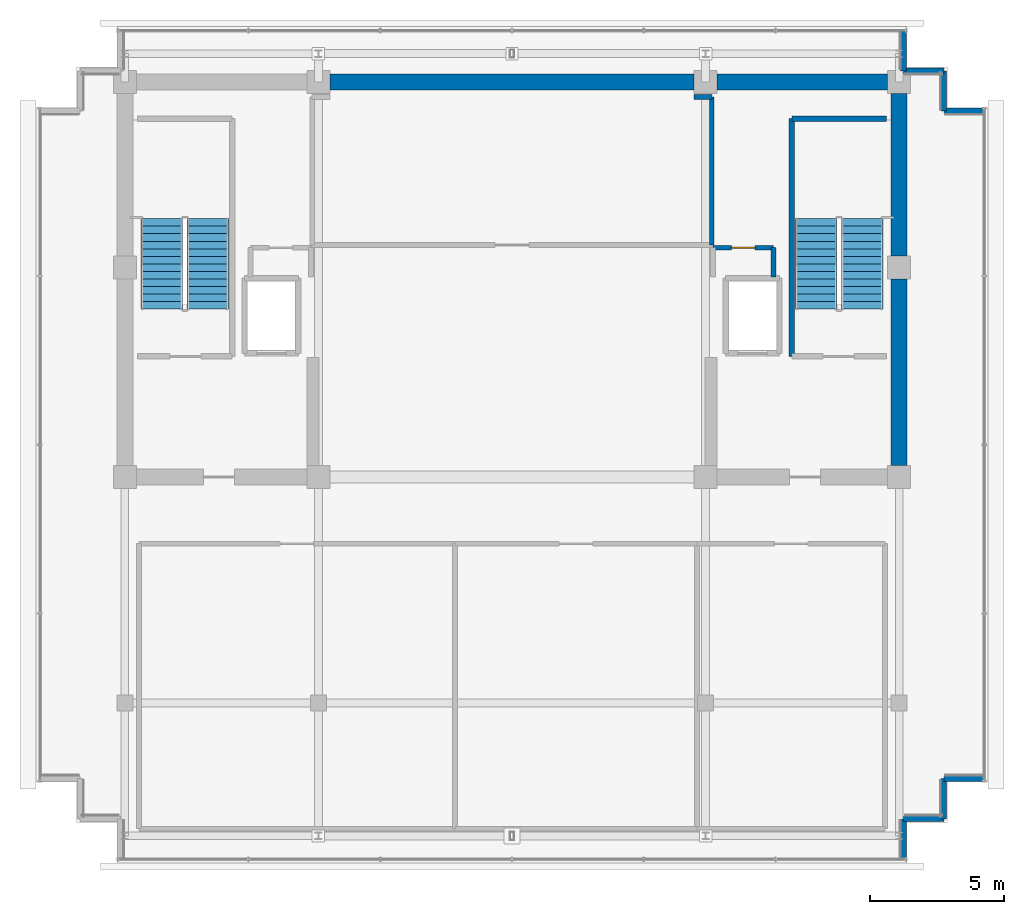
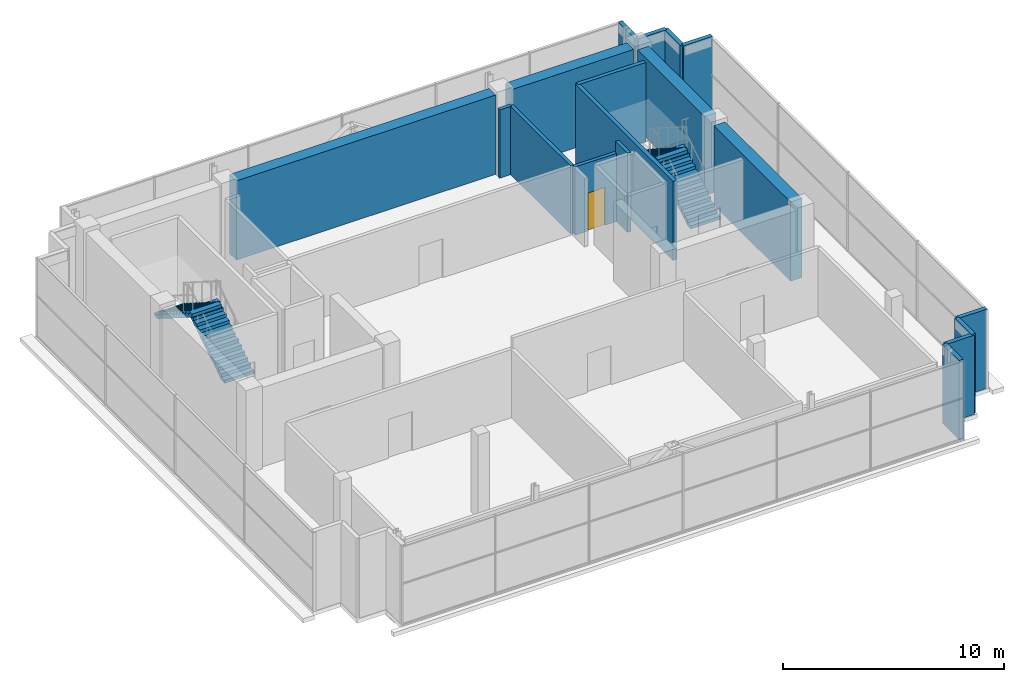
# One storey, part 25 of 27: 18 walls, 4 stair flights, 1 door, 1 opening, 2 elements without a shape of their own.
"""IFC4 building model written with IfcOpenShell, lengths in metres."""

import ifcopenshell
import ifcopenshell.guid

model = None  # the IFC model being written
_history = None  # IfcOwnerHistory: only IFC2X3 demands one
_inside = {}  # id of a spatial element -> (the spatial element, [elements in it])
_under = {}  # id of a project, library or spatial element -> (it, [spatial elements below it])
_declared = {}  # id of a project -> (the project, [libraries it declares])
_typed = {}  # id of a type object -> (the type object, [elements of that type])
_made_of = {}  # id of a material, layer set ... -> (it, [elements and type objects made of it])


def new_model(schema):
    """Start an empty IFC model of exactly this schema.

    Asked for "IFC4X3", IfcOpenShell would pick the latest addendum, in which some entities
    have other attributes; the version numbers below select the first issue.
    IFC2X3 requires an IfcOwnerHistory on every rooted entity: one is made here for all.
    """
    global model, _history
    if schema == "IFC4X3":
        model = ifcopenshell.file(schema_version=(4, 3, 0, 0))
    else:
        model = ifcopenshell.file(schema=schema)
    _inside.clear()
    _under.clear()
    _declared.clear()
    _typed.clear()
    _made_of.clear()
    _history = None
    if model.schema == "IFC2X3":
        org = make("IfcOrganization", Name="unknown")
        user = make(
            "IfcPersonAndOrganization",
            ThePerson=make("IfcPerson", FamilyName="unknown"),
            TheOrganization=org,
        )
        app = make(
            "IfcApplication",
            ApplicationDeveloper=org,
            Version="unknown",
            ApplicationFullName="unknown",
            ApplicationIdentifier="unknown",
        )
        _history = make(
            "IfcOwnerHistory",
            OwningUser=user,
            OwningApplication=app,
            ChangeAction="ADDED",
            CreationDate=0,
        )
    return model


def make(cls, **values):
    """One entity of the class cls with the attributes given. An attribute that is None is left unset."""
    return model.create_entity(
        cls, **{name: value for name, value in values.items() if value is not None}
    )


def rooted(cls, **values):
    """An entity with a GlobalId (a new one), such as an element, a storey or a relation."""
    return make(cls, GlobalId=ifcopenshell.guid.new(), OwnerHistory=_history, **values)


def si_unit(unit_type, name, prefix=None):
    """IfcSIUnit, for example si_unit("LENGTHUNIT", "METRE", prefix="MILLI")."""
    return make("IfcSIUnit", UnitType=unit_type, Prefix=prefix, Name=name)


def assignment(units):
    """IfcUnitAssignment: the units of a project."""
    return None if units is None else make("IfcUnitAssignment", Units=units)


def point(xyz):
    """IfcCartesianPoint."""
    return None if xyz is None else make("IfcCartesianPoint", Coordinates=xyz)


def direction(xyz):
    """IfcDirection."""
    return None if xyz is None else make("IfcDirection", DirectionRatios=xyz)


def frame(location, z_axis=None, x_axis=None):
    """IfcAxis2Placement3D, a coordinate frame: its origin and axes. An axis left out is left unset."""
    return make(
        "IfcAxis2Placement3D",
        Location=point(location),
        Axis=direction(z_axis),
        RefDirection=direction(x_axis),
    )


def frame_2d(location, x_axis=None):
    """IfcAxis2Placement2D, a coordinate frame in the plane: its origin and x axis."""
    return make(
        "IfcAxis2Placement2D", Location=point(location), RefDirection=direction(x_axis)
    )


def origin():
    """The frame at (0, 0, 0) with its axes left unset."""
    return frame((0.0, 0.0, 0.0))


def place(relative_to, where):
    """IfcLocalPlacement: puts the frame where relative to a parent placement (None: the world)."""
    return make(
        "IfcLocalPlacement", PlacementRelTo=relative_to, RelativePlacement=where
    )


def context(
    kind, dimensions, precision=None, world=None, true_north=None, identifier=None
):
    """IfcGeometricRepresentationContext, for example the 3D "Model" context."""
    return make(
        "IfcGeometricRepresentationContext",
        ContextIdentifier=identifier,
        ContextType=kind,
        CoordinateSpaceDimension=dimensions,
        Precision=precision,
        WorldCoordinateSystem=world,
        TrueNorth=true_north,
    )


def subcontext(parent, identifier, kind, view, scale=None):
    """IfcGeometricRepresentationSubContext, for example "Body" below "Model"."""
    return make(
        "IfcGeometricRepresentationSubContext",
        ContextIdentifier=identifier,
        ContextType=kind,
        ParentContext=parent,
        TargetScale=scale,
        TargetView=view,
    )


def project(units=None, contexts=None):
    """IfcProject with its units and contexts."""
    return rooted(
        "IfcProject",
        Name="project",
        RepresentationContexts=contexts,
        UnitsInContext=assignment(units),
    )


def spatial(cls, under=None, at=None, **own):
    """A site, building, storey or space (cls), placed at a placement, below another one or the project."""
    s = rooted(cls, ObjectPlacement=at, **own)
    if under is not None:
        _under.setdefault(under.id(), (under, []))[1].append(s)
    return s


def polyline(points):
    """IfcPolyline through the points."""
    return make("IfcPolyline", Points=[point(p) for p in points])


def profile(cls, at=None, kind="AREA", **sizes):
    """A parametric profile (cls). Its sizes go by their IFC names, for example OverallWidth=200.0."""
    return make(cls, ProfileType=kind, Position=at, **sizes)


def rectangle(**sizes):
    """IfcRectangleProfileDef."""
    return profile("IfcRectangleProfileDef", **sizes)


def outline(outer, holes=None, kind="AREA"):
    """IfcArbitraryClosedProfileDef: a profile drawn as a closed curve; with holes, ...WithVoids."""
    if holes is None:
        return make("IfcArbitraryClosedProfileDef", ProfileType=kind, OuterCurve=outer)
    return make(
        "IfcArbitraryProfileDefWithVoids",
        ProfileType=kind,
        OuterCurve=outer,
        InnerCurves=holes,
    )


def extrude(swept, where, along, depth):
    """IfcExtrudedAreaSolid: the profile swept, set in the frame where, extruded along a direction by depth."""
    return make(
        "IfcExtrudedAreaSolid",
        SweptArea=swept,
        Position=where,
        ExtrudedDirection=direction(along),
        Depth=depth,
    )


def shape(context_of_items, identifier, shape_type, items):
    """IfcShapeRepresentation: the items that make up one representation, for example the "Body"."""
    return make(
        "IfcShapeRepresentation",
        ContextOfItems=context_of_items,
        RepresentationIdentifier=identifier,
        RepresentationType=shape_type,
        Items=items,
    )


def source(mapping_origin, context_of_items, identifier, shape_type, items):
    """IfcRepresentationMap: a shape defined once, which mapped items show again and again."""
    return make(
        "IfcRepresentationMap",
        MappingOrigin=mapping_origin,
        MappedRepresentation=shape(context_of_items, identifier, shape_type, items),
    )


def transform(
    local_origin,
    x_axis=None,
    y_axis=None,
    z_axis=None,
    scale=None,
    scale2=None,
    scale3=None,
    uniform=True,
):
    """IfcCartesianTransformationOperator3D, or its non-uniform kind. x_axis, y_axis, z_axis: its Axis1, 2, 3."""
    if uniform:
        return make(
            "IfcCartesianTransformationOperator3D",
            Axis1=direction(x_axis),
            Axis2=direction(y_axis),
            LocalOrigin=point(local_origin),
            Scale=scale,
            Axis3=direction(z_axis),
        )
    return make(
        "IfcCartesianTransformationOperator3DnonUniform",
        Axis1=direction(x_axis),
        Axis2=direction(y_axis),
        LocalOrigin=point(local_origin),
        Scale=scale,
        Axis3=direction(z_axis),
        Scale2=scale2,
        Scale3=scale3,
    )


def mapped(mapping_source, mapping_target):
    """IfcMappedItem: shows the shape of a source again, moved by a transform."""
    return make(
        "IfcMappedItem", MappingSource=mapping_source, MappingTarget=mapping_target
    )


def material(Name=None, Category=None):
    """IfcMaterial."""
    return make("IfcMaterial", Name=Name, Category=Category)


def layer(
    of_material, thickness, ventilated=None, Name=None, Category=None, Priority=None
):
    """IfcMaterialLayer: one layer of a wall or slab, of a material (None: an air gap)."""
    return make(
        "IfcMaterialLayer",
        Material=of_material,
        LayerThickness=thickness,
        IsVentilated=ventilated,
        Name=Name,
        Category=Category,
        Priority=Priority,
    )


def layer_set(layers, Name=None):
    """IfcMaterialLayerSet."""
    return make("IfcMaterialLayerSet", MaterialLayers=layers, LayerSetName=Name)


def made_of(thing, what):
    """Note that an element or type object is made of a material, layer set ...; save() writes the relation."""
    if what is not None:
        _made_of.setdefault(what.id(), (what, []))[1].append(thing)
    return thing


def type_object(cls, material=None, **own):
    """A type object (cls), such as IfcWallType, which elements share."""
    return made_of(rooted(cls, **own), material)


def element(
    cls,
    number,
    at=None,
    inside=None,
    cuts=None,
    type_object=None,
    material=None,
    context=None,
    identifier="Body",
    shape_type=None,
    held_by="IfcProductDefinitionShape",
    body=None,
    shapes=None,
    **own,
):
    """One element of the class cls, such as IfcWall. Its Tag is "e" and its number.

    at: its placement. inside: the storey or other place that contains it. cuts: it is an
    opening in that element (IfcRelVoidsElement). A single representation is given by context,
    identifier, shape_type and body (its items); several are given by shapes. held_by: the class
    of the entity that holds the representations. save() writes the other relations.
    """
    e = rooted(cls, Tag="e%d" % number, ObjectPlacement=at, **own)
    if body is not None:
        shapes = [shape(context, identifier, shape_type, body)]
    if shapes is not None:
        e.Representation = make(held_by, Representations=shapes)
    if inside is not None:
        _inside.setdefault(inside.id(), (inside, []))[1].append(e)
    if cuts is not None:
        rooted(
            "IfcRelVoidsElement", RelatingBuildingElement=cuts, RelatedOpeningElement=e
        )
    if type_object is not None:
        _typed.setdefault(type_object.id(), (type_object, []))[1].append(e)
    return made_of(e, material)


def fill(opening, filler):
    """IfcRelFillsElement: the door or window that sits in an opening."""
    return rooted(
        "IfcRelFillsElement",
        RelatingOpeningElement=opening,
        RelatedBuildingElement=filler,
    )


def aggregate(whole, parts):
    """IfcRelAggregates: a whole, such as a stair, and the parts it consists of."""
    return rooted("IfcRelAggregates", RelatingObject=whole, RelatedObjects=parts)


def save(model, path):
    """Write the relations noted so far, then the file.

    IfcRelAggregates (storeys below a building ...), IfcRelContainedInSpatialStructure (elements
    in a storey), IfcRelDefinesByType, IfcRelAssociatesMaterial and IfcRelDeclares: one each for
    every whole, place, type object, material and project.
    """
    for whole, parts in _under.values():
        aggregate(whole, parts)
    for where, things in _inside.values():
        rooted(
            "IfcRelContainedInSpatialStructure",
            RelatedElements=things,
            RelatingStructure=where,
        )
    for kind, things in _typed.values():
        rooted("IfcRelDefinesByType", RelatedObjects=things, RelatingType=kind)
    for what, things in _made_of.values():
        rooted("IfcRelAssociatesMaterial", RelatedObjects=things, RelatingMaterial=what)
    for by, libraries in _declared.values():
        rooted("IfcRelDeclares", RelatingContext=by, RelatedDefinitions=libraries)
    model.write(path)


model = new_model("IFC4")

# Units and contexts
model_context = context("Model", 3, precision=1e-05, world=origin(), true_north=direction((0.0, 1.0)))
body_context = subcontext(model_context, "Body", "Model", "MODEL_VIEW")
ifc_project = project(units=[si_unit("LENGTHUNIT", "METRE"), si_unit("AREAUNIT", "SQUARE_METRE"), si_unit("VOLUMEUNIT", "CUBIC_METRE"), si_unit("PLANEANGLEUNIT", "RADIAN"), si_unit("MASSUNIT", "GRAM", prefix="KILO")], contexts=[model_context])

# Site, building, storey
site_placement = place(None, origin())
site = spatial("IfcSite", under=ifc_project, at=site_placement, CompositionType="ELEMENT")
building_placement = place(site_placement, origin())
building = spatial("IfcBuilding", under=site, at=building_placement, Name="Zarnakvel Exchange Tower", CompositionType="ELEMENT")
storey_placement = place(building_placement, frame((0.0, 0.0, 294.60009765625)))
storey = spatial("IfcBuildingStorey", under=building, at=storey_placement, Name="Crown L82", CompositionType="ELEMENT", Elevation=294.60009765625)

# Walls
ifc_material_1 = material(Name="Concrete C50/60", Category="concrete")
ifc_layer_1 = layer(ifc_material_1, 0.60009765625)
ifc_layer_set_1 = layer_set([ifc_layer_1], Name="Concrete C50/60")
wall_type_1 = type_object("IfcWallType", Name="CW-C5", PredefinedType="SHEAR", material=ifc_layer_set_1)
wall_1_placement = place(storey_placement, frame((-6.77490234375, 13.5, 0.0), z_axis=(0.0, 0.0, 1.0), x_axis=(1.0, 0.0, 0.0)))
element("IfcWall", 1, at=wall_1_placement, inside=storey, type_object=wall_type_1, Name="Crown L82 Rear Core Shear Wall N2 (CW-C5)", PredefinedType="SHEAR", context=body_context, shape_type="SweptSolid", body=[
    extrude(rectangle(XDim=13.5498046875, YDim=0.60009765625, at=frame_2d((6.77490234375, 0.0))), origin(), (0.0, 0.0, 1.0), 4.3798828125),
])
wall_2_placement = place(storey_placement, frame((7.625, 13.5, 0.0), z_axis=(0.0, 0.0, 1.0), x_axis=(1.0, 0.0, 0.0)))
element("IfcWall", 2, at=wall_2_placement, inside=storey, type_object=wall_type_1, Name="Crown L82 Rear Core Shear Wall N3 (CW-C5)", PredefinedType="SHEAR", context=body_context, shape_type="SweptSolid", body=[
    extrude(rectangle(XDim=6.35009765625, YDim=0.60009765625, at=frame_2d((3.175048828125, 0.0))), origin(), (0.0, 0.0, 1.0), 4.3798828125),
])
wall_3_placement = place(storey_placement, frame((14.39990234375, -0.77490234375, 0.0), z_axis=(0.0, 0.0, 1.0), x_axis=(0.0, 1.0, 0.0)))
element("IfcWall", 3, at=wall_3_placement, inside=storey, type_object=wall_type_1, Name="Crown L82 Rear Core Shear Wall E1 (CW-C5)", PredefinedType="SHEAR", context=body_context, shape_type="SweptSolid", body=[
    extrude(rectangle(XDim=6.949951171875, YDim=0.60009765625, at=frame_2d((3.47509765625, 0.0))), origin(), (0.0, 0.0, 1.0), 4.3798828125),
])
wall_4_placement = place(storey_placement, frame((14.39990234375, 7.02490234375, 0.0), z_axis=(0.0, 0.0, 1.0), x_axis=(0.0, 1.0, 0.0)))
element("IfcWall", 4, at=wall_4_placement, inside=storey, type_object=wall_type_1, Name="Crown L82 Rear Core Shear Wall E2 (CW-C5)", PredefinedType="SHEAR", context=body_context, shape_type="SweptSolid", body=[
    extrude(rectangle(XDim=6.050048828125, YDim=0.60009765625, at=frame_2d((3.02490234375, 0.0))), origin(), (0.0, 0.0, 1.0), 4.3798828125),
])
ifc_material_2 = material(Name="Precast concrete C40/50", Category="concrete")
ifc_layer_2 = layer(ifc_material_2, 0.219970703125)
ifc_layer_set_2 = layer_set([ifc_layer_2], Name="Precast concrete C40/50")
wall_type_2 = type_object("IfcWallType", Name="EW-03", PredefinedType="SOLIDWALL", material=ifc_layer_set_2)
for number, where, z_axis, x_axis, name in (
    (5, (14.56005859375, 13.909912109375, 0.0), (0.0, 0.0, 1.0), (0.0, 1.0, 0.0), "Crown L82 Exterior Precast Spandrel Wall EW-Crown L82-C07 (EW-03)"),
    (6, (16.06005859375, 13.909912109375, 0.0), (0.0, 0.0, 1.0), (-1.0, 0.0, 0.0), "Crown L82 Exterior Precast Spandrel Wall EW-Crown L82-C08 (EW-03)"),
    (7, (16.06005859375, 12.409912109375, 0.0), (0.0, 0.0, 1.0), (0.0, 1.0, 0.0), "Crown L82 Exterior Precast Spandrel Wall EW-Crown L82-C09 (EW-03)"),
    (8, (17.56005859375, 12.409912109375, 0.0), (0.0, 0.0, 1.0), (-1.0, 0.0, 0.0), "Crown L82 Exterior Precast Spandrel Wall EW-Crown L82-C10 (EW-03)"),
    (9, (16.06005859375, -12.409912109375, 0.0), (0.0, 0.0, 1.0), (1.0, 0.0, 0.0), "Crown L82 Exterior Precast Spandrel Wall EW-Crown L82-C12 (EW-03)"),
    (10, (16.06005859375, -13.909912109375, 0.0), (0.0, 0.0, 1.0), (0.0, 1.0, 0.0), "Crown L82 Exterior Precast Spandrel Wall EW-Crown L82-C13 (EW-03)"),
    (11, (14.56005859375, -13.909912109375, 0.0), (0.0, 0.0, 1.0), (1.0, 0.0, 0.0), "Crown L82 Exterior Precast Spandrel Wall EW-Crown L82-C14 (EW-03)"),
    (12, (14.56005859375, -15.409912109375, 0.0), (0.0, 0.0, 1.0), (0.0, 1.0, 0.0), "Crown L82 Exterior Precast Spandrel Wall EW-Crown L82-C15 (EW-03)"),
):
    element("IfcWall", number, at=place(storey_placement, frame(where, z_axis=z_axis, x_axis=x_axis)), inside=storey, type_object=wall_type_2, Name=name, PredefinedType="SOLIDWALL", context=body_context, shape_type="SweptSolid", body=[
        extrude(rectangle(XDim=1.5, YDim=0.219970703125, at=frame_2d((0.75, 0.0))), origin(), (0.0, 0.0, 1.0), 4.3798828125),
    ])
ifc_material_3 = material(Name="Fire-Rated Gypsum Stud Partition", Category="gypsum")
ifc_layer_3 = layer(ifc_material_3, 0.179931640625)
ifc_layer_set_3 = layer_set([ifc_layer_3], Name="Fire-Rated Gypsum Stud Partition")
wall_type_3 = type_object("IfcWallType", Name="PT-02", PredefinedType="PARTITIONING", material=ifc_layer_set_3)
wall_5_placement = place(storey_placement, frame((6.77490234375, 12.929931640625, 0.0), z_axis=(0.0, 0.0, 1.0), x_axis=(1.0, 0.0, 0.0)))
element("IfcWall", 13, at=wall_5_placement, inside=storey, type_object=wall_type_3, Name="Crown L82 Partition Wall PWALL-Crown L82-009 (PT-02)", PredefinedType="PARTITIONING", context=body_context, shape_type="SweptSolid", body=[
    extrude(rectangle(XDim=0.655029296875, YDim=0.179931640625, at=frame_2d((0.32763671875, 0.0))), origin(), (0.0, 0.0, 1.0), 3.77001953125),
])
wall_6_placement = place(storey_placement, frame((7.429931640625, 12.929931640625, 0.0), z_axis=(0.0, 0.0, 1.0), x_axis=(0.0, -1.0, 0.0)))
element("IfcWall", 14, at=wall_6_placement, inside=storey, type_object=wall_type_3, Name="Crown L82 Partition Wall PWALL-Crown L82-011 (PT-02)", PredefinedType="PARTITIONING", context=body_context, shape_type="SweptSolid", body=[
    extrude(rectangle(XDim=5.5, YDim=0.179931640625, at=frame_2d((2.75, 0.0))), origin(), (0.0, 0.0, 1.0), 3.77001953125),
])

# Wall, opening, door
wall_7_placement = place(storey_placement, frame((7.469970703125, 7.330078125, 0.0), z_axis=(0.0, 0.0, 1.0), x_axis=(1.0, 0.0, 0.0)))
wall_7 = element("IfcWall", 15, at=wall_7_placement, inside=storey, type_object=wall_type_3, Name="Crown L82 Partition Wall PWALL-Crown L82-015 (PT-02)", PredefinedType="PARTITIONING", context=body_context, shape_type="SweptSolid", body=[
    extrude(rectangle(XDim=2.260009765625, YDim=0.179931640625, at=frame_2d((1.1298828125, 0.0))), origin(), (0.0, 0.0, 1.0), 3.77001953125),
])
opening_placement = place(wall_7_placement, frame((0.68994140625, 0.0, 0.0)))
opening = element("IfcOpeningElement", 16, at=opening_placement, cuts=wall_7, Name="Opening D-Crown L82-10", PredefinedType="OPENING", context=body_context, shape_type="SweptSolid", body=[
    extrude(rectangle(XDim=0.8798828125, YDim=2.10009765625, at=frame_2d((0.43994140625, 1.050048828125))), frame((0.0, 0.099853515625, 0.0), z_axis=(0.0, -1.0, 0.0), x_axis=(1.0, 0.0, 0.0)), (0.0, 0.0, 1.0), 0.199951171875),
])
ifc_material_4 = material(Name="Painted Galvanised Steel S355", Category="steel")
door_type = type_object("IfcDoorType", Name="DT-08", OperationType="NOTDEFINED", PredefinedType="DOOR", material=ifc_material_4)
shared_shape = source(origin(), body_context, "Body", "SweptSolid", [
    extrude(rectangle(XDim=0.8798828125, YDim=2.10009765625, at=frame_2d((0.43994140625, 1.050048828125))), frame((0.0, 0.02490234375, 0.0), z_axis=(0.0, -1.0, 0.0), x_axis=(1.0, 0.0, 0.0)), (0.0, 0.0, 1.0), 0.050048828125),
])
door_placement = place(opening_placement, origin())
door = element("IfcDoor", 17, at=door_placement, inside=storey, type_object=door_type, Name="Crown L82 Telecom Riser Door D-Crown L82-10", OperationType="SINGLE_SWING_RIGHT", OverallHeight=2.10009765625, OverallWidth=0.8798828125, PredefinedType="DOOR", context=body_context, shape_type="MappedRepresentation", body=[
    mapped(shared_shape, transform((0.0, 0.0, 0.0), x_axis=(1.0, 0.0, 0.0), y_axis=(0.0, 1.0, 0.0), z_axis=(0.0, 0.0, 1.0), scale=1.0)),
])
fill(opening, door)

# Walls
wall_8_placement = place(storey_placement, frame((9.72998046875, 7.330078125, 0.0), z_axis=(0.0, 0.0, 1.0), x_axis=(0.0, -1.0, 0.0)))
element("IfcWall", 18, at=wall_8_placement, inside=storey, type_object=wall_type_3, Name="Crown L82 Partition Wall PWALL-Crown L82-017 (PT-02)", PredefinedType="PARTITIONING", context=body_context, shape_type="SweptSolid", body=[
    extrude(rectangle(XDim=1.090087890625, YDim=0.179931640625, at=frame_2d((0.544921875, 0.0))), origin(), (0.0, 0.0, 1.0), 4.3798828125),
])
ifc_material_5 = material(Name="Concrete C40/50", Category="concrete")
ifc_layer_4 = layer(ifc_material_5, 0.199951171875)
ifc_layer_set_4 = layer_set([ifc_layer_4], Name="Concrete C40/50")
wall_type_4 = type_object("IfcWallType", Name="SW-02", PredefinedType="SOLIDWALL", material=ifc_layer_set_4)
wall_9_placement = place(storey_placement, frame((10.409912109375, 12.1298828125, 0.0), z_axis=(0.0, 0.0, 1.0), x_axis=(1.0, 0.0, 0.0)))
element("IfcWall", 19, at=wall_9_placement, inside=storey, type_object=wall_type_4, Name="Crown L82 Stairwell Core Wall PWALL-Crown L82-005 (SW-02)", PredefinedType="SOLIDWALL", context=body_context, shape_type="SweptSolid", body=[
    extrude(rectangle(XDim=3.52001953125, YDim=0.199951171875, at=frame_2d((1.760009765625, 0.0))), origin(), (0.0, 0.0, 1.0), 4.3798828125),
])
wall_10_placement = place(storey_placement, frame((10.409912109375, 3.2900390625, 0.0), z_axis=(0.0, 0.0, 1.0), x_axis=(0.0, 1.0, 0.0)))
element("IfcWall", 20, at=wall_10_placement, inside=storey, type_object=wall_type_4, Name="Crown L82 Stairwell Core Wall PWALL-Crown L82-006 (SW-02)", PredefinedType="SOLIDWALL", context=body_context, shape_type="SweptSolid", body=[
    extrude(rectangle(XDim=8.83984375, YDim=0.199951171875, at=frame_2d((4.419921875, 0.0))), origin(), (0.0, 0.0, 1.0), 4.3798828125),
])

# Stair, stair flights
stair_type = type_object("IfcStairType", Name="STR-01", PredefinedType="HALF_TURN_STAIR", material=ifc_material_5)
stair_1_placement = place(storey_placement, origin())
stair_1 = element("IfcStair", 21, at=stair_1_placement, inside=storey, type_object=stair_type, Name="Crown L82 Protected Core Exit Stair ST-01", PredefinedType="HALF_TURN_STAIR")
stair_flight_type = type_object("IfcStairFlightType", Name="FLT-01", PredefinedType="STRAIGHT", material=ifc_material_5)
stair_flight_1_placement = place(storey_placement, frame((-11.31494140625, 5.050048828125, 0.0), z_axis=(0.0, 0.0, 1.0), x_axis=(0.0, 1.0, 0.0)))
stair_flight_1 = element("IfcStairFlight", 22, at=stair_flight_1_placement, type_object=stair_flight_type, Name="ST-01 flight 1", NumberOfRisers=13, NumberOfTreads=12, PredefinedType="STRAIGHT", RiserHeight=0.176923077, TreadLength=0.28, context=body_context, shape_type="SweptSolid", body=[
    extrude(outline(polyline([(0.0, 0.0), (0.0, 0.177001953125), (0.280029296875, 0.177001953125), (0.280029296875, 0.353759765625), (0.56005859375, 0.353759765625), (0.56005859375, 0.53076171875), (0.840087890625, 0.53076171875), (0.840087890625, 0.707763671875), (1.1201171875, 0.707763671875), (1.1201171875, 0.884521484375), (1.39990234375, 0.884521484375), (1.39990234375, 1.0615234375), (1.679931640625, 1.0615234375), (1.679931640625, 1.238525390625), (1.9599609375, 1.238525390625), (1.9599609375, 1.415283203125), (2.239990234375, 1.415283203125), (2.239990234375, 1.59228515625), (2.52001953125, 1.59228515625), (2.52001953125, 1.769287109375), (2.800048828125, 1.769287109375), (2.800048828125, 1.946044921875), (3.080078125, 1.946044921875), (3.080078125, 2.123046875), (3.360107421875, 2.123046875), (3.360107421875, 2.300048828125), (3.360107421875, 1.94580078125), (0.280517578125, 0.0), (0.0, 0.0)])), frame((0.0, 0.77490234375, 0.0), z_axis=(0.0, -1.0, 0.0), x_axis=(1.0, 0.0, 0.0)), (0.0, 0.0, 1.0), 1.550048828125),
])
stair_flight_2_placement = place(storey_placement, frame((-13.02490234375, 8.409912109375, 2.2998046875), z_axis=(0.0, 0.0, 1.0), x_axis=(0.0, -1.0, 0.0)))
stair_flight_2 = element("IfcStairFlight", 23, at=stair_flight_2_placement, type_object=stair_flight_type, Name="ST-01 flight 2", NumberOfRisers=13, NumberOfTreads=12, PredefinedType="STRAIGHT", RiserHeight=0.176923077, TreadLength=0.28, context=body_context, shape_type="SweptSolid", body=[
    extrude(outline(polyline([(0.0, 0.0), (0.0, 0.177001953125), (0.280029296875, 0.177001953125), (0.280029296875, 0.353759765625), (0.56005859375, 0.353759765625), (0.56005859375, 0.53076171875), (0.840087890625, 0.53076171875), (0.840087890625, 0.707763671875), (1.1201171875, 0.707763671875), (1.1201171875, 0.884521484375), (1.39990234375, 0.884521484375), (1.39990234375, 1.0615234375), (1.679931640625, 1.0615234375), (1.679931640625, 1.238525390625), (1.9599609375, 1.238525390625), (1.9599609375, 1.415283203125), (2.239990234375, 1.415283203125), (2.239990234375, 1.59228515625), (2.52001953125, 1.59228515625), (2.52001953125, 1.769287109375), (2.800048828125, 1.769287109375), (2.800048828125, 1.946044921875), (3.080078125, 1.946044921875), (3.080078125, 2.123046875), (3.360107421875, 2.123046875), (3.360107421875, 2.300048828125), (3.360107421875, 1.94580078125), (0.280517578125, 0.0), (0.0, 0.0)])), frame((0.0, 0.77490234375, 0.0), z_axis=(0.0, -1.0, 0.0), x_axis=(1.0, 0.0, 0.0)), (0.0, 0.0, 1.0), 1.550048828125),
])
aggregate(stair_1, [stair_flight_1, stair_flight_2])

stair_2_placement = place(storey_placement, origin())
stair_2 = element("IfcStair", 24, at=stair_2_placement, inside=storey, type_object=stair_type, Name="Crown L82 Protected Core Exit Stair ST-02", PredefinedType="HALF_TURN_STAIR")
stair_flight_3_placement = place(storey_placement, frame((13.02490234375, 5.050048828125, 0.0), z_axis=(0.0, 0.0, 1.0), x_axis=(0.0, 1.0, 0.0)))
stair_flight_3 = element("IfcStairFlight", 25, at=stair_flight_3_placement, type_object=stair_flight_type, Name="ST-02 flight 1", NumberOfRisers=13, NumberOfTreads=12, PredefinedType="STRAIGHT", RiserHeight=0.176923077, TreadLength=0.28, context=body_context, shape_type="SweptSolid", body=[
    extrude(outline(polyline([(0.0, 0.0), (0.0, 0.177001953125), (0.280029296875, 0.177001953125), (0.280029296875, 0.353759765625), (0.56005859375, 0.353759765625), (0.56005859375, 0.53076171875), (0.840087890625, 0.53076171875), (0.840087890625, 0.707763671875), (1.1201171875, 0.707763671875), (1.1201171875, 0.884521484375), (1.39990234375, 0.884521484375), (1.39990234375, 1.0615234375), (1.679931640625, 1.0615234375), (1.679931640625, 1.238525390625), (1.9599609375, 1.238525390625), (1.9599609375, 1.415283203125), (2.239990234375, 1.415283203125), (2.239990234375, 1.59228515625), (2.52001953125, 1.59228515625), (2.52001953125, 1.769287109375), (2.800048828125, 1.769287109375), (2.800048828125, 1.946044921875), (3.080078125, 1.946044921875), (3.080078125, 2.123046875), (3.360107421875, 2.123046875), (3.360107421875, 2.300048828125), (3.360107421875, 1.94580078125), (0.280517578125, 0.0), (0.0, 0.0)])), frame((0.0, 0.77490234375, 0.0), z_axis=(0.0, -1.0, 0.0), x_axis=(1.0, 0.0, 0.0)), (0.0, 0.0, 1.0), 1.550048828125),
])
stair_flight_4_placement = place(storey_placement, frame((11.31494140625, 8.409912109375, 2.2998046875), z_axis=(0.0, 0.0, 1.0), x_axis=(0.0, -1.0, 0.0)))
stair_flight_4 = element("IfcStairFlight", 26, at=stair_flight_4_placement, type_object=stair_flight_type, Name="ST-02 flight 2", NumberOfRisers=13, NumberOfTreads=12, PredefinedType="STRAIGHT", RiserHeight=0.176923077, TreadLength=0.28, context=body_context, shape_type="SweptSolid", body=[
    extrude(outline(polyline([(0.0, 0.0), (0.0, 0.177001953125), (0.280029296875, 0.177001953125), (0.280029296875, 0.353759765625), (0.56005859375, 0.353759765625), (0.56005859375, 0.53076171875), (0.840087890625, 0.53076171875), (0.840087890625, 0.707763671875), (1.1201171875, 0.707763671875), (1.1201171875, 0.884521484375), (1.39990234375, 0.884521484375), (1.39990234375, 1.0615234375), (1.679931640625, 1.0615234375), (1.679931640625, 1.238525390625), (1.9599609375, 1.238525390625), (1.9599609375, 1.415283203125), (2.239990234375, 1.415283203125), (2.239990234375, 1.59228515625), (2.52001953125, 1.59228515625), (2.52001953125, 1.769287109375), (2.800048828125, 1.769287109375), (2.800048828125, 1.946044921875), (3.080078125, 1.946044921875), (3.080078125, 2.123046875), (3.360107421875, 2.123046875), (3.360107421875, 2.300048828125), (3.360107421875, 1.94580078125), (0.280517578125, 0.0), (0.0, 0.0)])), frame((0.0, 0.77490234375, 0.0), z_axis=(0.0, -1.0, 0.0), x_axis=(1.0, 0.0, 0.0)), (0.0, 0.0, 1.0), 1.550048828125),
])
aggregate(stair_2, [stair_flight_3, stair_flight_4])

save(model, "model.ifc")
